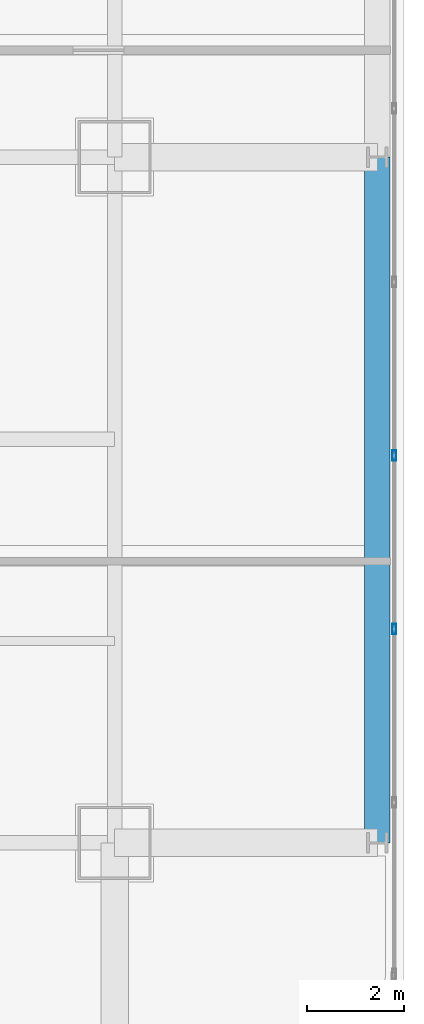
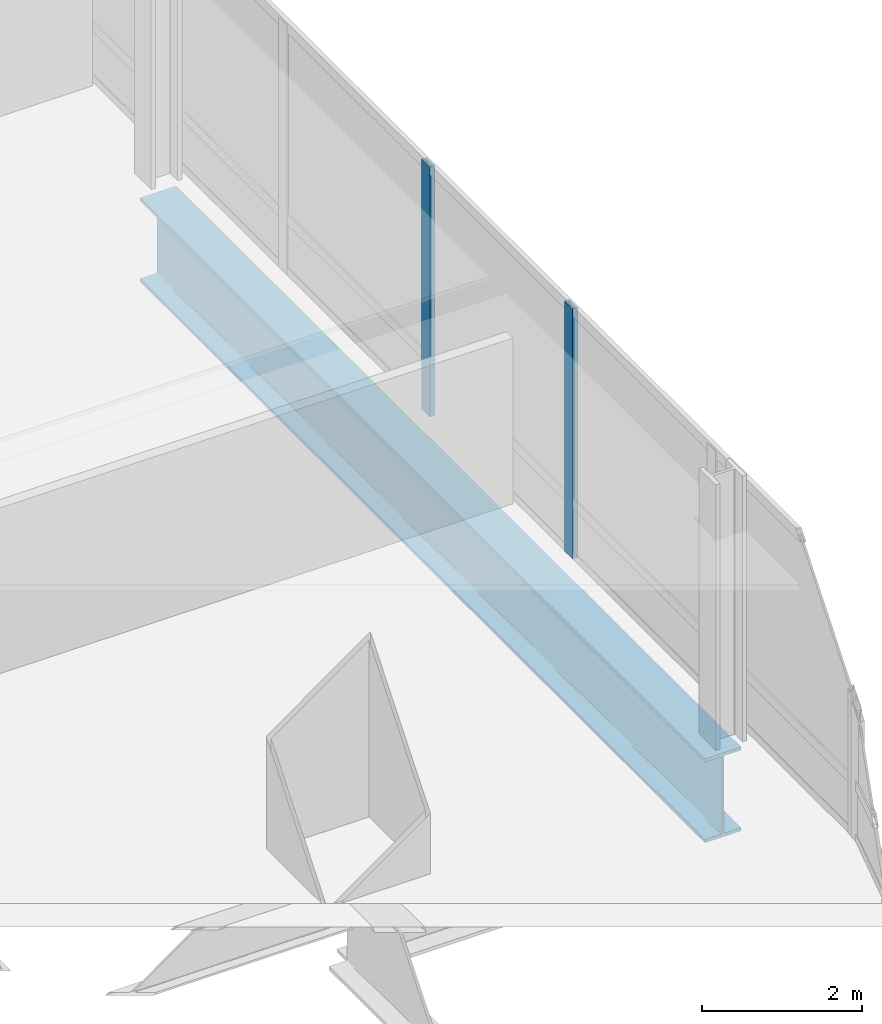
# One storey, part 14 of 34: 2 members, 1 beam, 1 element without a shape of its own.
"""IFC4 building model written with IfcOpenShell, lengths in metres."""

from ifc_helpers import new_model, si_unit, direction, frame, origin, origin_2d, place, context, subcontext, project, spatial, hollow_rectangle, i_section, extrude, material, material_profile, profile_set, type_object, element, aggregate, save


model = new_model("IFC4")

# Units and contexts
model_context = context("Model", 3, precision=1e-05, world=origin(), true_north=direction((0.0, 1.0)))
body_context = subcontext(model_context, "Body", "Model", "MODEL_VIEW")
ifc_project = project(units=[si_unit("LENGTHUNIT", "METRE"), si_unit("AREAUNIT", "SQUARE_METRE"), si_unit("VOLUMEUNIT", "CUBIC_METRE"), si_unit("PLANEANGLEUNIT", "RADIAN"), si_unit("MASSUNIT", "GRAM", prefix="KILO")], contexts=[model_context])

# Site, building, storey
site_placement = place(None, origin())
site = spatial("IfcSite", under=ifc_project, at=site_placement, CompositionType="ELEMENT")
building_placement = place(site_placement, origin())
building = spatial("IfcBuilding", under=site, at=building_placement, Name="Punatoya Terracotta Tower", CompositionType="ELEMENT")
storey_placement = place(building_placement, frame((0.0, 0.0, 80.85009765625)))
storey = spatial("IfcBuildingStorey", under=building, at=storey_placement, Name="L18", CompositionType="ELEMENT", Elevation=80.85009765625)

# Beam
ifc_material_1 = material(Name="Steel S460", Category="steel")
ifc_material_profile_1 = material_profile(ifc_material_1, i_section(OverallWidth=0.52001953125, OverallDepth=1.280029296875, WebThickness=0.031982421875, FlangeThickness=0.050048828125, FilletRadius=0.01806640625, at=origin_2d()))
ifc_profile_set_1 = profile_set([ifc_material_profile_1], Name="Steel S460")
beam_type = type_object("IfcBeamType", Name="BM-TG-NCK", PredefinedType="BEAM", material=ifc_profile_set_1)
beam_placement = place(storey_placement, frame((24.5, -17.5, -0.880126953125), z_axis=(0.0, 1.0, 0.0), x_axis=(-1.0, 0.0, 0.0)))
element("IfcBeam", 1, at=beam_placement, inside=storey, type_object=beam_type, Name="BM-L18-PER-E1", PredefinedType="BEAM", context=body_context, shape_type="SweptSolid", body=[
    extrude(i_section(OverallWidth=0.52001953125, OverallDepth=1.280029296875, WebThickness=0.031982421875, FlangeThickness=0.050048828125, FilletRadius=0.01806640625, at=origin_2d()), origin(), (0.0, 0.0, 1.0), 14.10009765625),
])

# Curtain wall, members
ifc_material_2 = material(Name="Aluminium 6063-T6 + Double Low-E Glass", Category="aluminium")
curtain_wall_type = type_object("IfcCurtainWallType", Name="CW-M1", PredefinedType="NOTDEFINED", material=ifc_material_2)
curtain_wall_placement = place(storey_placement, origin())
curtain_wall = element("IfcCurtainWall", 2, at=curtain_wall_placement, inside=storey, type_object=curtain_wall_type, Name="L18 Curtain Wall CW-L18-E05-1", PredefinedType="NOTDEFINED")
ifc_material_3 = material(Name="Aluminium 6063-T6", Category="aluminium")
ifc_material_profile_2 = material_profile(ifc_material_3, hollow_rectangle(XDim=0.074951171875, YDim=0.2099609375, WallThickness=0.00439453125, at=origin_2d()))
ifc_profile_set_2 = profile_set([ifc_material_profile_2], Name="Aluminium 6063-T6")
member_type = type_object("IfcMemberType", Name="CW-MUL-M1", PredefinedType="MULLION", material=ifc_profile_set_2)
member_1_placement = place(storey_placement, frame((24.85009765625, -13.10205078125, 0.0), z_axis=(0.0, 0.0, 1.0), x_axis=(1.0, 0.0, 0.0)))
member_1 = element("IfcMember", 3, at=member_1_placement, type_object=member_type, Name="CW-L18-E05-1 Mullion 02", PredefinedType="MULLION", context=body_context, shape_type="SweptSolid", body=[
    extrude(hollow_rectangle(XDim=0.074951171875, YDim=0.2099609375, WallThickness=0.00439453125, at=origin_2d()), origin(), (0.0, 0.0, 1.0), 3.809814453125),
])
member_2_placement = place(storey_placement, frame((24.85009765625, -9.534912109375, 0.0), z_axis=(0.0, 0.0, 1.0), x_axis=(1.0, 0.0, 0.0)))
member_2 = element("IfcMember", 4, at=member_2_placement, type_object=member_type, Name="CW-L18-E05-1 Mullion 03", PredefinedType="MULLION", context=body_context, shape_type="SweptSolid", body=[
    extrude(hollow_rectangle(XDim=0.074951171875, YDim=0.2099609375, WallThickness=0.00439453125, at=origin_2d()), origin(), (0.0, 0.0, 1.0), 3.809814453125),
])
aggregate(curtain_wall, [member_1, member_2])

save(model, "model.ifc")
